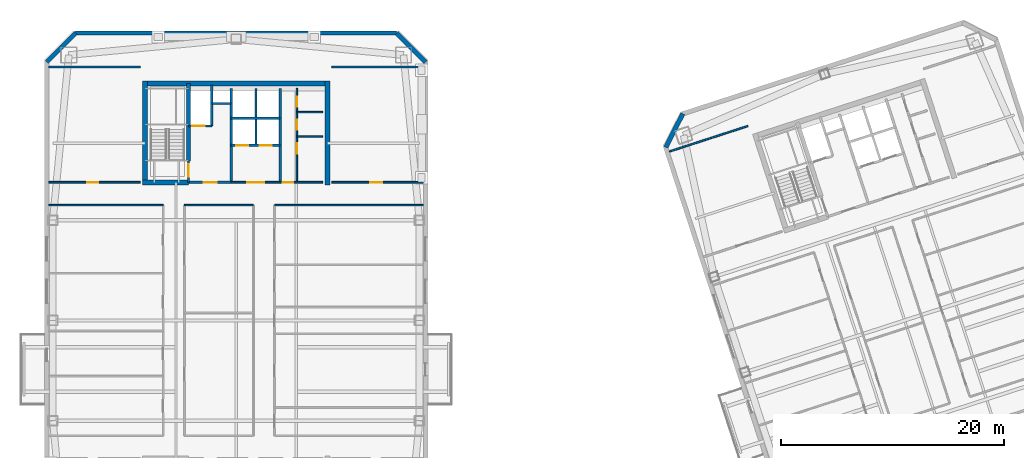
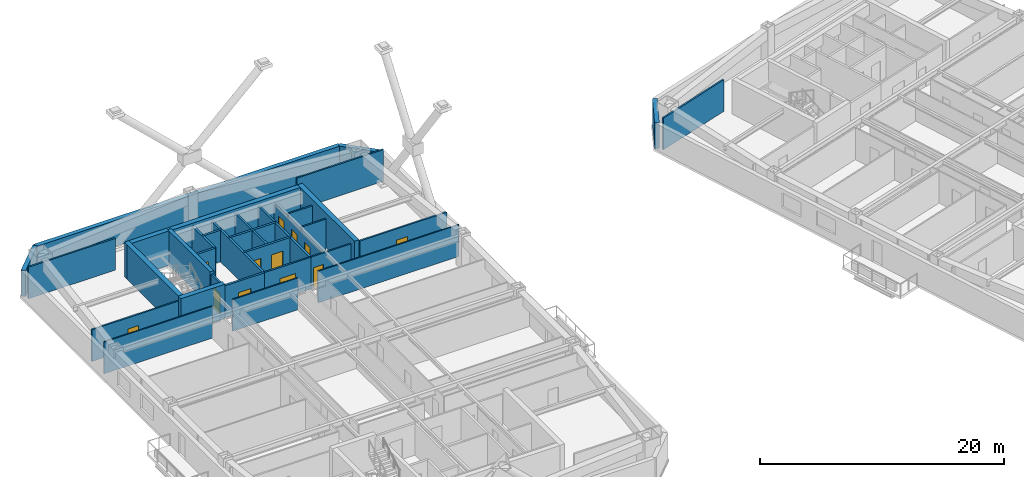
# One storey, part 8 of 16: 32 walls, 12 doors, 12 openings.
"""IFC4 building model written with IfcOpenShell, lengths in metres."""

from ifc_helpers import new_model, si_unit, direction, frame, frame_2d, origin, place, context, subcontext, project, spatial, rectangle, extrude, material, layer, layer_set, type_object, element, fill, save


model = new_model("IFC4")

# Units and contexts
model_context = context("Model", 3, precision=1e-05, world=origin(), true_north=direction((0.0, 1.0)))
body_context = subcontext(model_context, "Body", "Model", "MODEL_VIEW")
ifc_project = project(units=[si_unit("LENGTHUNIT", "METRE"), si_unit("AREAUNIT", "SQUARE_METRE"), si_unit("VOLUMEUNIT", "CUBIC_METRE"), si_unit("PLANEANGLEUNIT", "RADIAN"), si_unit("MASSUNIT", "GRAM", prefix="KILO")], contexts=[model_context])

# Site, building, storey
site_placement = place(None, origin())
site = spatial("IfcSite", under=ifc_project, at=site_placement, CompositionType="ELEMENT")
building_placement = place(site_placement, origin())
building = spatial("IfcBuilding", under=site, at=building_placement, Name="Qiaolan Cultural Towers", CompositionType="ELEMENT")
storey_placement = place(building_placement, frame((0.0, 0.0, 188.60009765625)))
storey = spatial("IfcBuildingStorey", under=building, at=storey_placement, Name="L50", CompositionType="ELEMENT", Elevation=188.60009765625)

# Walls
ifc_material_1 = material(Name="Concrete C50", Category="concrete")
ifc_layer_1 = layer(ifc_material_1, 0.35009765625)
ifc_layer_set_1 = layer_set([ifc_layer_1], Name="Concrete C50")
wall_type_1 = type_object("IfcWallType", Name="WL-CORE-350", PredefinedType="SHEAR", material=ifc_layer_set_1)
wall_1_placement = place(storey_placement, frame((25.719970703125, 48.300048828125, 0.0), z_axis=(0.0, 0.0, 1.0), x_axis=(0.0, 1.0, 0.0)))
element("IfcWall", 1, at=wall_1_placement, inside=storey, type_object=wall_type_1, Name="L50 T1-CN Stair Core Dividing Web", PredefinedType="SHEAR", context=body_context, shape_type="SweptSolid", body=[
    extrude(rectangle(XDim=6.97998046875, YDim=0.35009765625, at=frame_2d((3.489990234375, 0.0))), origin(), (0.0, 0.0, 1.0), 3.449951171875),
])
ifc_material_2 = material(Name="Concrete C50", Category="concrete")
ifc_layer_2 = layer(ifc_material_2, 0.449951171875)
ifc_layer_set_2 = layer_set([ifc_layer_2], Name="Concrete C50")
wall_type_2 = type_object("IfcWallType", Name="WL-CORE-450", PredefinedType="SHEAR", material=ifc_layer_set_2)
wall_2_placement = place(storey_placement, frame((21.574951171875, 55.280029296875, 0.0), z_axis=(0.0, 0.0, 1.0), x_axis=(1.0, 0.0, 0.0)))
element("IfcWall", 2, at=wall_2_placement, inside=storey, type_object=wall_type_2, Name="L50 T1-CN Outer Core Shear Wall", PredefinedType="SHEAR", context=body_context, shape_type="SweptSolid", body=[
    extrude(rectangle(XDim=16.85009765625, YDim=0.449951171875, at=frame_2d((8.425048828125, 0.0))), origin(), (0.0, 0.0, 1.0), 3.449951171875),
])
for number, where, z_axis, x_axis, name in (
    (3, (21.800048828125, 46.175048828125, 0.0), (0.0, 0.0, 1.0), (0.0, 1.0, 0.0), "L50 T1-CN West Core Shear Wall"),
    (4, (38.199951171875, 46.175048828125, 0.0), (0.0, 0.0, 1.0), (0.0, 1.0, 0.0), "L50 T1-CN East Core Shear Wall"),
):
    element("IfcWall", number, at=place(storey_placement, frame(where, z_axis=z_axis, x_axis=x_axis)), inside=storey, type_object=wall_type_2, Name=name, PredefinedType="SHEAR", context=body_context, shape_type="SweptSolid", body=[
        extrude(rectangle(XDim=9.329833984375, YDim=0.449951171875, at=frame_2d((4.6650390625, 0.0))), origin(), (0.0, 0.0, 1.0), 3.449951171875),
    ])
wall_3_placement = place(storey_placement, frame((21.574951171875, 46.39990234375, 0.0), z_axis=(0.0, 0.0, 1.0), x_axis=(1.0, 0.0, 0.0)))
element("IfcWall", 5, at=wall_3_placement, inside=storey, type_object=wall_type_2, Name="L50 T1-CN Stair Front Shear Wall", PredefinedType="SHEAR", context=body_context, shape_type="SweptSolid", body=[
    extrude(rectangle(XDim=4.14501953125, YDim=0.449951171875, at=frame_2d((2.072509765625, 0.0))), origin(), (0.0, 0.0, 1.0), 3.449951171875),
])
ifc_material_3 = material(Name="Precast Concrete C50 Honed Stone Pier", Category="masonry")
ifc_layer_3 = layer(ifc_material_3, 0.39990234375)
ifc_layer_set_3 = layer_set([ifc_layer_3], Name="Precast Concrete C50 Honed Stone Pier")
wall_type_3 = type_object("IfcWallType", Name="WL-EXT-PIER-400", PredefinedType="SOLIDWALL", material=ifc_layer_set_3)
wall_4_placement = place(storey_placement, frame((13.0, 57.199951171875, 0.0), z_axis=(0.0, 0.0, 1.0), x_axis=(0.707106781187, 0.707106781187, 0.0)))
element("IfcWall", 6, at=wall_4_placement, inside=storey, type_object=wall_type_3, Name="L50 West Tower Precast Pier Facade Wall F2", PredefinedType="SOLIDWALL", context=body_context, shape_type="SweptSolid", body=[
    extrude(rectangle(XDim=3.677001953125, YDim=0.39990234375, at=frame_2d((1.83837890625, 0.0))), origin(), (0.0, 0.0, 1.0), 2.60986328125),
])
wall_5_placement = place(storey_placement, frame((15.60009765625, 59.800048828125, 0.0), z_axis=(0.0, 0.0, 1.0), x_axis=(1.0, 0.0, 0.0)))
element("IfcWall", 7, at=wall_5_placement, inside=storey, type_object=wall_type_3, Name="L50 West Tower Precast Pier Facade Wall F3", PredefinedType="SOLIDWALL", context=body_context, shape_type="SweptSolid", body=[
    extrude(rectangle(XDim=28.7998046875, YDim=0.39990234375, at=frame_2d((14.39990234375, 0.0))), origin(), (0.0, 0.0, 1.0), 2.60986328125),
])
wall_6_placement = place(storey_placement, frame((44.39990234375, 59.800048828125, 0.0), z_axis=(0.0, 0.0, 1.0), x_axis=(0.707106781187, -0.707106781187, 0.0)))
element("IfcWall", 8, at=wall_6_placement, inside=storey, type_object=wall_type_3, Name="L50 West Tower Precast Pier Facade Wall F4", PredefinedType="SOLIDWALL", context=body_context, shape_type="SweptSolid", body=[
    extrude(rectangle(XDim=3.677001953125, YDim=0.39990234375, at=frame_2d((1.83837890625, 0.0))), origin(), (0.0, 0.0, 1.0), 2.60986328125),
])
wall_7_placement = place(storey_placement, frame((68.550537109375, 49.531982421875, 0.0), z_axis=(0.0, 0.0, 1.0), x_axis=(0.454019523198, 0.890991735402, 0.0)))
element("IfcWall", 9, at=wall_7_placement, inside=storey, type_object=wall_type_3, Name="L50 East Tower Precast Pier Facade Wall F2", PredefinedType="SOLIDWALL", context=body_context, shape_type="SweptSolid", body=[
    extrude(rectangle(XDim=3.39404296875, YDim=0.39990234375, at=frame_2d((1.697021484375, 0.0))), origin(), (0.0, 0.0, 1.0), 2.60986328125),
])

# Wall, opening, door
ifc_material_4 = material(Name="Concrete C35 Fire Wall", Category="concrete")
ifc_layer_4 = layer(ifc_material_4, 0.199951171875)
ifc_layer_set_4 = layer_set([ifc_layer_4], Name="Concrete C35 Fire Wall")
wall_type_4 = type_object("IfcWallType", Name="WL-FIRE-200", PredefinedType="PARTITIONING", material=ifc_layer_set_4)
wall_8_placement = place(storey_placement, frame((25.719970703125, 46.39990234375, 0.0), z_axis=(0.0, 0.0, 1.0), x_axis=(0.0, 1.0, 0.0)))
wall_8 = element("IfcWall", 10, at=wall_8_placement, inside=storey, type_object=wall_type_4, Name="L50 T1-CN Smokeproof Stair Entry Wall", PredefinedType="PARTITIONING", context=body_context, shape_type="SweptSolid", body=[
    extrude(rectangle(XDim=1.900146484375, YDim=0.199951171875, at=frame_2d((0.9501953125, 0.0))), origin(), (0.0, 0.0, 1.0), 3.1748046875),
])
opening_1_placement = place(wall_8_placement, frame((0.52001953125, 0.0, 0.0)))
opening_1 = element("IfcOpeningElement", 11, at=opening_1_placement, cuts=wall_8, Name="Opening FD-04", PredefinedType="OPENING", context=body_context, shape_type="SweptSolid", body=[
    extrude(rectangle(XDim=1.10009765625, YDim=2.050048828125, at=frame_2d((0.550048828125, 1.02490234375))), frame((0.0, 0.10986328125, 0.0), z_axis=(0.0, -1.0, 0.0), x_axis=(1.0, 0.0, 0.0)), (0.0, 0.0, 1.0), 0.219970703125),
])
ifc_material_5 = material(Name="Galvanized Steel Command Fire Door", Category="steel")
door_type_1 = type_object("IfcDoorType", Name="DR-FD90-1100", OperationType="NOTDEFINED", PredefinedType="DOOR", material=ifc_material_5)
door_1_placement = place(opening_1_placement, origin())
door_1 = element("IfcDoor", 12, at=door_1_placement, inside=storey, type_object=door_type_1, Name="L50 ST-W2 Smokeproof Stair Fire Door", OperationType="SINGLE_SWING_LEFT", OverallHeight=2.050048828125, OverallWidth=1.10009765625, PredefinedType="DOOR", context=body_context, shape_type="SweptSolid", body=[
    extrude(rectangle(XDim=1.10009765625, YDim=2.050048828125, at=frame_2d((0.550048828125, 1.02490234375))), frame((0.0, 0.02490234375, 0.0), z_axis=(0.0, -1.0, 0.0), x_axis=(1.0, 0.0, 0.0)), (0.0, 0.0, 1.0), 0.050048828125),
])
fill(opening_1, door_1)

# Wall
wall_9_placement = place(storey_placement, frame((29.550048828125, 46.39990234375, 0.0), z_axis=(0.0, 0.0, 1.0), x_axis=(0.0, 1.0, 0.0)))
element("IfcWall", 13, at=wall_9_placement, inside=storey, type_object=wall_type_4, Name="L50 T1-CN Firefighting Zone Wall", PredefinedType="PARTITIONING", context=body_context, shape_type="SweptSolid", body=[
    extrude(rectangle(XDim=8.43017578125, YDim=0.199951171875, at=frame_2d((4.215087890625, 0.0))), origin(), (0.0, 0.0, 1.0), 3.1748046875),
])

# Wall, opening, door
wall_10_placement = place(storey_placement, frame((25.719970703125, 46.39990234375, 0.0), z_axis=(0.0, 0.0, 1.0), x_axis=(1.0, 0.0, 0.0)))
wall_10 = element("IfcWall", 14, at=wall_10_placement, inside=storey, type_object=wall_type_4, Name="L50 T1-CN Firefighting Lobby Front Wall", PredefinedType="PARTITIONING", context=body_context, shape_type="SweptSolid", body=[
    extrude(rectangle(XDim=3.830078125, YDim=0.199951171875, at=frame_2d((1.9150390625, 0.0))), origin(), (0.0, 0.0, 1.0), 3.1748046875),
])
opening_2_placement = place(wall_10_placement, frame((1.35009765625, 0.0, 0.0)))
opening_2 = element("IfcOpeningElement", 15, at=opening_2_placement, cuts=wall_10, Name="Opening FD-03", PredefinedType="OPENING", context=body_context, shape_type="SweptSolid", body=[
    extrude(rectangle(XDim=1.199951171875, YDim=2.050048828125, at=frame_2d((0.60009765625, 1.02490234375))), frame((0.0, 0.10986328125, 0.0), z_axis=(0.0, -1.0, 0.0), x_axis=(1.0, 0.0, 0.0)), (0.0, 0.0, 1.0), 0.219970703125),
])
ifc_material_6 = material(Name="Galvanized Steel Smokeproof Lobby Fire Door", Category="steel")
door_type_2 = type_object("IfcDoorType", Name="DR-FD90-1200", OperationType="NOTDEFINED", PredefinedType="DOOR", material=ifc_material_6)
door_2_placement = place(opening_2_placement, origin())
door_2 = element("IfcDoor", 16, at=door_2_placement, inside=storey, type_object=door_type_2, Name="L50 FFL-W2 Firefighting Lobby Fire Door", OperationType="SINGLE_SWING_LEFT", OverallHeight=2.050048828125, OverallWidth=1.199951171875, PredefinedType="DOOR", context=body_context, shape_type="SweptSolid", body=[
    extrude(rectangle(XDim=1.199951171875, YDim=2.050048828125, at=frame_2d((0.60009765625, 1.02490234375))), frame((0.0, 0.02490234375, 0.0), z_axis=(0.0, -1.0, 0.0), x_axis=(1.0, 0.0, 0.0)), (0.0, 0.0, 1.0), 0.050048828125),
])
fill(opening_2, door_2)

wall_11_placement = place(storey_placement, frame((25.719970703125, 51.449951171875, 0.0), z_axis=(0.0, 0.0, 1.0), x_axis=(1.0, 0.0, 0.0)))
wall_11 = element("IfcWall", 17, at=wall_11_placement, inside=storey, type_object=wall_type_4, Name="L50 T1-CN Firefighting Shaft Front Wall", PredefinedType="PARTITIONING", context=body_context, shape_type="SweptSolid", body=[
    extrude(rectangle(XDim=2.10009765625, YDim=0.199951171875, at=frame_2d((1.050048828125, 0.0))), origin(), (0.0, 0.0, 1.0), 3.1748046875),
])
opening_3_placement = place(wall_11_placement, frame((0.35009765625, 0.0, 0.0)))
opening_3 = element("IfcOpeningElement", 18, at=opening_3_placement, cuts=wall_11, Name="Opening LD-01", PredefinedType="OPENING", context=body_context, shape_type="SweptSolid", body=[
    extrude(rectangle(XDim=1.10009765625, YDim=2.050048828125, at=frame_2d((0.550048828125, 1.02490234375))), frame((0.0, 0.10986328125, 0.0), z_axis=(0.0, -1.0, 0.0), x_axis=(1.0, 0.0, 0.0)), (0.0, 0.0, 1.0), 0.219970703125),
])
ifc_material_7 = material(Name="Brushed Stainless Steel S30408 Centre-Parting Lift Landing Door", Category="steel")
door_type_3 = type_object("IfcDoorType", Name="DR-LIFT-1100", OperationType="NOTDEFINED", PredefinedType="DOOR", material=ifc_material_7)
door_3_placement = place(opening_3_placement, origin())
door_3 = element("IfcDoor", 19, at=door_3_placement, inside=storey, type_object=door_type_3, Name="L50 FFL-W2 Firefighting Lift Landing Door", OperationType="DOUBLE_DOOR_SLIDING", OverallHeight=2.050048828125, OverallWidth=1.10009765625, PredefinedType="DOOR", context=body_context, shape_type="SweptSolid", body=[
    extrude(rectangle(XDim=1.10009765625, YDim=2.050048828125, at=frame_2d((0.550048828125, 1.02490234375))), frame((0.0, 0.02490234375, 0.0), z_axis=(0.0, -1.0, 0.0), x_axis=(1.0, 0.0, 0.0)), (0.0, 0.0, 1.0), 0.050048828125),
])
fill(opening_3, door_3)

# Walls
wall_12_placement = place(storey_placement, frame((27.820068359375, 51.449951171875, 0.0), z_axis=(0.0, 0.0, 1.0), x_axis=(0.0, 1.0, 0.0)))
element("IfcWall", 20, at=wall_12_placement, inside=storey, type_object=wall_type_4, Name="L50 T1-CN Firefighting Hoistway East Wall", PredefinedType="PARTITIONING", context=body_context, shape_type="SweptSolid", body=[
    extrude(rectangle(XDim=3.699951171875, YDim=0.199951171875, at=frame_2d((1.85009765625, 0.0))), origin(), (0.0, 0.0, 1.0), 3.1748046875),
])
wall_13_placement = place(storey_placement, frame((27.820068359375, 53.47998046875, 0.0), z_axis=(0.0, 0.0, 1.0), x_axis=(1.0, 0.0, 0.0)))
element("IfcWall", 21, at=wall_13_placement, inside=storey, type_object=wall_type_4, Name="L50 T1-CN Pressurization Shaft Front Wall", PredefinedType="PARTITIONING", context=body_context, shape_type="SweptSolid", body=[
    extrude(rectangle(XDim=1.72998046875, YDim=0.199951171875, at=frame_2d((0.864990234375, 0.0))), origin(), (0.0, 0.0, 1.0), 3.1748046875),
])
wall_14_placement = place(storey_placement, frame((33.949951171875, 46.39990234375, 0.0), z_axis=(0.0, 0.0, 1.0), x_axis=(0.0, 1.0, 0.0)))
element("IfcWall", 22, at=wall_14_placement, inside=storey, type_object=wall_type_4, Name="L50 T1-CN Lift Core East Wall", PredefinedType="PARTITIONING", context=body_context, shape_type="SweptSolid", body=[
    extrude(rectangle(XDim=8.43017578125, YDim=0.199951171875, at=frame_2d((4.215087890625, 0.0))), origin(), (0.0, 0.0, 1.0), 3.1748046875),
])

# Wall, openings, doors
wall_15_placement = place(storey_placement, frame((29.550048828125, 49.719970703125, 0.0), z_axis=(0.0, 0.0, 1.0), x_axis=(1.0, 0.0, 0.0)))
wall_15 = element("IfcWall", 23, at=wall_15_placement, inside=storey, type_object=wall_type_4, Name="L50 T1-CN Passenger Lift Shaft Front Wall", PredefinedType="PARTITIONING", context=body_context, shape_type="SweptSolid", body=[
    extrude(rectangle(XDim=4.39990234375, YDim=0.199951171875, at=frame_2d((2.199951171875, 0.0))), origin(), (0.0, 0.0, 1.0), 3.1748046875),
])
opening_4_placement = place(wall_15_placement, frame((0.449951171875, 0.0, 0.0)))
opening_4 = element("IfcOpeningElement", 24, at=opening_4_placement, cuts=wall_15, Name="Opening LD-01", PredefinedType="OPENING", context=body_context, shape_type="SweptSolid", body=[
    extrude(rectangle(XDim=1.10009765625, YDim=2.050048828125, at=frame_2d((0.550048828125, 1.02490234375))), frame((0.0, 0.10986328125, 0.0), z_axis=(0.0, -1.0, 0.0), x_axis=(1.0, 0.0, 0.0)), (0.0, 0.0, 1.0), 0.219970703125),
])
opening_5_placement = place(wall_15_placement, frame((2.550048828125, 0.0, 0.0)))
opening_5 = element("IfcOpeningElement", 25, at=opening_5_placement, cuts=wall_15, Name="Opening LD-01", PredefinedType="OPENING", context=body_context, shape_type="SweptSolid", body=[
    extrude(rectangle(XDim=1.10009765625, YDim=2.050048828125, at=frame_2d((0.550048828125, 1.02490234375))), frame((0.0, 0.10986328125, 0.0), z_axis=(0.0, -1.0, 0.0), x_axis=(1.0, 0.0, 0.0)), (0.0, 0.0, 1.0), 0.219970703125),
])
door_4_placement = place(opening_4_placement, origin())
door_4 = element("IfcDoor", 26, at=door_4_placement, inside=storey, type_object=door_type_3, Name="L50 Passenger Lift 1 Landing Door", OperationType="DOUBLE_DOOR_SLIDING", OverallHeight=2.050048828125, OverallWidth=1.10009765625, PredefinedType="DOOR", context=body_context, shape_type="SweptSolid", body=[
    extrude(rectangle(XDim=1.10009765625, YDim=2.050048828125, at=frame_2d((0.550048828125, 1.02490234375))), frame((0.0, 0.02490234375, 0.0), z_axis=(0.0, -1.0, 0.0), x_axis=(1.0, 0.0, 0.0)), (0.0, 0.0, 1.0), 0.050048828125),
])
fill(opening_4, door_4)
door_5_placement = place(opening_5_placement, origin())
door_5 = element("IfcDoor", 27, at=door_5_placement, inside=storey, type_object=door_type_3, Name="L50 Passenger Lift 2 Landing Door", OperationType="DOUBLE_DOOR_SLIDING", OverallHeight=2.050048828125, OverallWidth=1.10009765625, PredefinedType="DOOR", context=body_context, shape_type="SweptSolid", body=[
    extrude(rectangle(XDim=1.10009765625, YDim=2.050048828125, at=frame_2d((0.550048828125, 1.02490234375))), frame((0.0, 0.02490234375, 0.0), z_axis=(0.0, -1.0, 0.0), x_axis=(1.0, 0.0, 0.0)), (0.0, 0.0, 1.0), 0.050048828125),
])
fill(opening_5, door_5)

# Walls
wall_16_placement = place(storey_placement, frame((31.780029296875, 49.719970703125, 0.0), z_axis=(0.0, 0.0, 1.0), x_axis=(0.0, 1.0, 0.0)))
element("IfcWall", 28, at=wall_16_placement, inside=storey, type_object=wall_type_4, Name="L50 T1-CN Lift Shaft Divider Wall", PredefinedType="PARTITIONING", context=body_context, shape_type="SweptSolid", body=[
    extrude(rectangle(XDim=5.110107421875, YDim=0.199951171875, at=frame_2d((2.55517578125, 0.0))), origin(), (0.0, 0.0, 1.0), 3.1748046875),
])
wall_17_placement = place(storey_placement, frame((29.550048828125, 52.14990234375, 0.0), z_axis=(0.0, 0.0, 1.0), x_axis=(1.0, 0.0, 0.0)))
element("IfcWall", 29, at=wall_17_placement, inside=storey, type_object=wall_type_4, Name="L50 T1-CN Passenger Lift Shaft Back Wall", PredefinedType="PARTITIONING", context=body_context, shape_type="SweptSolid", body=[
    extrude(rectangle(XDim=4.39990234375, YDim=0.199951171875, at=frame_2d((2.199951171875, 0.0))), origin(), (0.0, 0.0, 1.0), 3.1748046875),
])
ifc_material_8 = material(Name="Gypsum Stud Acoustic Partition", Category="gypsum")
ifc_layer_5 = layer(ifc_material_8, 0.1201171875)
ifc_layer_set_5 = layer_set([ifc_layer_5], Name="Gypsum Stud Acoustic Partition")
wall_type_5 = type_object("IfcWallType", Name="WL-PART-120", PredefinedType="PARTITIONING", material=ifc_layer_set_5)
wall_18_placement = place(storey_placement, frame((13.199951171875, 44.35009765625, 0.0), z_axis=(0.0, 0.0, 1.0), x_axis=(1.0, 0.0, 0.0)))
element("IfcWall", 30, at=wall_18_placement, inside=storey, type_object=wall_type_5, Name="L50 T1 Interior Wall", PredefinedType="PARTITIONING", context=body_context, shape_type="SweptSolid", body=[
    extrude(rectangle(XDim=10.25, YDim=0.1201171875, at=frame_2d((5.125, 0.0))), origin(), (0.0, 0.0, 1.0), 3.1748046875),
])
wall_19_placement = place(storey_placement, frame((25.35009765625, 44.35009765625, 0.0), z_axis=(0.0, 0.0, 1.0), x_axis=(1.0, 0.0, 0.0)))
element("IfcWall", 31, at=wall_19_placement, inside=storey, type_object=wall_type_5, Name="L50 T1 Interior Wall", PredefinedType="PARTITIONING", context=body_context, shape_type="SweptSolid", body=[
    extrude(rectangle(XDim=6.199951171875, YDim=0.1201171875, at=frame_2d((3.10009765625, 0.0))), origin(), (0.0, 0.0, 1.0), 3.1748046875),
])
wall_20_placement = place(storey_placement, frame((33.449951171875, 44.35009765625, 0.0), z_axis=(0.0, 0.0, 1.0), x_axis=(1.0, 0.0, 0.0)))
element("IfcWall", 32, at=wall_20_placement, inside=storey, type_object=wall_type_5, Name="L50 T1 Interior Wall", PredefinedType="PARTITIONING", context=body_context, shape_type="SweptSolid", body=[
    extrude(rectangle(XDim=13.35009765625, YDim=0.1201171875, at=frame_2d((6.675048828125, 0.0))), origin(), (0.0, 0.0, 1.0), 3.1748046875),
])

# Wall, opening, door
ifc_material_9 = material(Name="Autoclaved Aerated Concrete Block B06", Category="concrete")
ifc_layer_6 = layer(ifc_material_9, 0.14990234375)
ifc_layer_set_6 = layer_set([ifc_layer_6], Name="Autoclaved Aerated Concrete Block B06")
wall_type_6 = type_object("IfcWallType", Name="WL-PART-150", PredefinedType="PARTITIONING", material=ifc_layer_set_6)
wall_21_placement = place(storey_placement, frame((29.550048828125, 46.39990234375, 0.0), z_axis=(0.0, 0.0, 1.0), x_axis=(1.0, 0.0, 0.0)))
wall_21 = element("IfcWall", 33, at=wall_21_placement, inside=storey, type_object=wall_type_6, Name="L50 T1-CN Passenger Lift Lobby Front Wall", PredefinedType="PARTITIONING", context=body_context, shape_type="SweptSolid", body=[
    extrude(rectangle(XDim=4.39990234375, YDim=0.14990234375, at=frame_2d((2.199951171875, 0.0))), origin(), (0.0, 0.0, 1.0), 3.1748046875),
])
opening_6_placement = place(wall_21_placement, frame((1.449951171875, 0.0, 0.0)))
opening_6 = element("IfcOpeningElement", 34, at=opening_6_placement, cuts=wall_21, Name="Opening FD-05", PredefinedType="OPENING", context=body_context, shape_type="SweptSolid", body=[
    extrude(rectangle(XDim=1.5, YDim=2.050048828125, at=frame_2d((0.75, 1.02490234375))), frame((0.0, 0.0849609375, 0.0), z_axis=(0.0, -1.0, 0.0), x_axis=(1.0, 0.0, 0.0)), (0.0, 0.0, 1.0), 0.169921875),
])
ifc_material_10 = material(Name="Painted Steel Lift Lobby Fire Door", Category="steel")
door_type_4 = type_object("IfcDoorType", Name="DR-FD60-1500", OperationType="NOTDEFINED", PredefinedType="DOOR", material=ifc_material_10)
door_6_placement = place(opening_6_placement, origin())
door_6 = element("IfcDoor", 35, at=door_6_placement, inside=storey, type_object=door_type_4, Name="L50 Passenger Lift Lobby Entrance", OperationType="SINGLE_SWING_LEFT", OverallHeight=2.050048828125, OverallWidth=1.5, PredefinedType="DOOR", context=body_context, shape_type="SweptSolid", body=[
    extrude(rectangle(XDim=1.5, YDim=2.050048828125, at=frame_2d((0.75, 1.02490234375))), frame((0.0, 0.02490234375, 0.0), z_axis=(0.0, -1.0, 0.0), x_axis=(1.0, 0.0, 0.0)), (0.0, 0.0, 1.0), 0.050048828125),
])
fill(opening_6, door_6)

wall_22_placement = place(storey_placement, frame((33.949951171875, 46.39990234375, 0.0), z_axis=(0.0, 0.0, 1.0), x_axis=(1.0, 0.0, 0.0)))
wall_22 = element("IfcWall", 36, at=wall_22_placement, inside=storey, type_object=wall_type_6, Name="L50 T1-CN Sanitary Core Front Wall", PredefinedType="PARTITIONING", context=body_context, shape_type="SweptSolid", body=[
    extrude(rectangle(XDim=3.800048828125, YDim=0.14990234375, at=frame_2d((1.89990234375, 0.0))), origin(), (0.0, 0.0, 1.0), 3.1748046875),
])
opening_7_placement = place(wall_22_placement, frame((0.219970703125, 0.0, 0.0)))
opening_7 = element("IfcOpeningElement", 37, at=opening_7_placement, cuts=wall_22, Name="Opening ID-05", PredefinedType="OPENING", context=body_context, shape_type="SweptSolid", body=[
    extrude(rectangle(XDim=0.949951171875, YDim=2.050048828125, at=frame_2d((0.47509765625, 1.02490234375))), frame((0.0, 0.0849609375, 0.0), z_axis=(0.0, -1.0, 0.0), x_axis=(1.0, 0.0, 0.0)), (0.0, 0.0, 1.0), 0.169921875),
])
ifc_material_11 = material(Name="Fire-Rated Laminate Accessible Core Door", Category="timber")
door_type_5 = type_object("IfcDoorType", Name="DR-INT-950", OperationType="NOTDEFINED", PredefinedType="DOOR", material=ifc_material_11)
door_7_placement = place(opening_7_placement, origin())
door_7 = element("IfcDoor", 38, at=door_7_placement, inside=storey, type_object=door_type_5, Name="L50 Sanitary Vestibule Door", OperationType="SINGLE_SWING_LEFT", OverallHeight=2.050048828125, OverallWidth=0.949951171875, PredefinedType="DOOR", context=body_context, shape_type="SweptSolid", body=[
    extrude(rectangle(XDim=0.949951171875, YDim=2.050048828125, at=frame_2d((0.47509765625, 1.02490234375))), frame((0.0, 0.02490234375, 0.0), z_axis=(0.0, -1.0, 0.0), x_axis=(1.0, 0.0, 0.0)), (0.0, 0.0, 1.0), 0.050048828125),
])
fill(opening_7, door_7)

# Wall, openings, doors
wall_23_placement = place(storey_placement, frame((35.449951171875, 46.39990234375, 0.0), z_axis=(0.0, 0.0, 1.0), x_axis=(0.0, 1.0, 0.0)))
wall_23 = element("IfcWall", 39, at=wall_23_placement, inside=storey, type_object=wall_type_6, Name="L50 T1-CN Sanitary Vestibule Wall", PredefinedType="PARTITIONING", context=body_context, shape_type="SweptSolid", body=[
    extrude(rectangle(XDim=8.43017578125, YDim=0.14990234375, at=frame_2d((4.215087890625, 0.0))), origin(), (0.0, 0.0, 1.0), 2.764892578125),
])
opening_8_placement = place(wall_23_placement, frame((2.550048828125, 0.0, 0.0)))
opening_8 = element("IfcOpeningElement", 40, at=opening_8_placement, cuts=wall_23, Name="Opening ID-05", PredefinedType="OPENING", context=body_context, shape_type="SweptSolid", body=[
    extrude(rectangle(XDim=0.949951171875, YDim=2.050048828125, at=frame_2d((0.47509765625, 1.02490234375))), frame((0.0, 0.0849609375, 0.0), z_axis=(0.0, -1.0, 0.0), x_axis=(1.0, 0.0, 0.0)), (0.0, 0.0, 1.0), 0.169921875),
])
opening_9_placement = place(wall_23_placement, frame((4.699951171875, 0.0, 0.0)))
opening_9 = element("IfcOpeningElement", 41, at=opening_9_placement, cuts=wall_23, Name="Opening ID-06", PredefinedType="OPENING", context=body_context, shape_type="SweptSolid", body=[
    extrude(rectangle(XDim=0.89990234375, YDim=2.050048828125, at=frame_2d((0.449951171875, 1.02490234375))), frame((0.0, 0.0849609375, 0.0), z_axis=(0.0, -1.0, 0.0), x_axis=(1.0, 0.0, 0.0)), (0.0, 0.0, 1.0), 0.169921875),
])
opening_10_placement = place(wall_23_placement, frame((6.800048828125, 0.0, 0.0)))
opening_10 = element("IfcOpeningElement", 42, at=opening_10_placement, cuts=wall_23, Name="Opening ID-06", PredefinedType="OPENING", context=body_context, shape_type="SweptSolid", body=[
    extrude(rectangle(XDim=0.89990234375, YDim=2.050048828125, at=frame_2d((0.449951171875, 1.02490234375))), frame((0.0, 0.0849609375, 0.0), z_axis=(0.0, -1.0, 0.0), x_axis=(1.0, 0.0, 0.0)), (0.0, 0.0, 1.0), 0.169921875),
])
ifc_material_12 = material(Name="Fire-Rated Laminate Core Service Door", Category="timber")
door_type_6 = type_object("IfcDoorType", Name="DR-INT-900", OperationType="NOTDEFINED", PredefinedType="DOOR", material=ifc_material_12)
door_8_placement = place(opening_9_placement, origin())
door_8 = element("IfcDoor", 43, at=door_8_placement, inside=storey, type_object=door_type_6, Name="L50 Men Washroom Door", OperationType="SINGLE_SWING_LEFT", OverallHeight=2.050048828125, OverallWidth=0.89990234375, PredefinedType="DOOR", context=body_context, shape_type="SweptSolid", body=[
    extrude(rectangle(XDim=0.89990234375, YDim=2.050048828125, at=frame_2d((0.449951171875, 1.02490234375))), frame((0.0, 0.02490234375, 0.0), z_axis=(0.0, -1.0, 0.0), x_axis=(1.0, 0.0, 0.0)), (0.0, 0.0, 1.0), 0.050048828125),
])
fill(opening_9, door_8)
door_9_placement = place(opening_10_placement, origin())
door_9 = element("IfcDoor", 44, at=door_9_placement, inside=storey, type_object=door_type_6, Name="L50 Women Washroom Door", OperationType="SINGLE_SWING_RIGHT", OverallHeight=2.050048828125, OverallWidth=0.89990234375, PredefinedType="DOOR", context=body_context, shape_type="SweptSolid", body=[
    extrude(rectangle(XDim=0.89990234375, YDim=2.050048828125, at=frame_2d((0.449951171875, 1.02490234375))), frame((0.0, 0.02490234375, 0.0), z_axis=(0.0, -1.0, 0.0), x_axis=(1.0, 0.0, 0.0)), (0.0, 0.0, 1.0), 0.050048828125),
])
fill(opening_10, door_9)
door_10_placement = place(opening_8_placement, origin())
door_10 = element("IfcDoor", 45, at=door_10_placement, inside=storey, type_object=door_type_5, Name="L50 Accessible Family Washroom Door", OperationType="SINGLE_SWING_LEFT", OverallHeight=2.050048828125, OverallWidth=0.949951171875, PredefinedType="DOOR", context=body_context, shape_type="SweptSolid", body=[
    extrude(rectangle(XDim=0.949951171875, YDim=2.050048828125, at=frame_2d((0.47509765625, 1.02490234375))), frame((0.0, 0.02490234375, 0.0), z_axis=(0.0, -1.0, 0.0), x_axis=(1.0, 0.0, 0.0)), (0.0, 0.0, 1.0), 0.050048828125),
])
fill(opening_8, door_10)

# Walls
for number, where, z_axis, x_axis, name in (
    (46, (35.449951171875, 50.5, 0.0), (0.0, 0.0, 1.0), (1.0, 0.0, 0.0), "L50 T1-CN Restroom Split Wall 1"),
    (47, (35.449951171875, 52.699951171875, 0.0), (0.0, 0.0, 1.0), (1.0, 0.0, 0.0), "L50 T1-CN Restroom Split Wall 2"),
):
    element("IfcWall", number, at=place(storey_placement, frame(where, z_axis=z_axis, x_axis=x_axis)), inside=storey, type_object=wall_type_6, Name=name, PredefinedType="PARTITIONING", context=body_context, shape_type="SweptSolid", body=[
        extrude(rectangle(XDim=2.300048828125, YDim=0.14990234375, at=frame_2d((1.14990234375, 0.0))), origin(), (0.0, 0.0, 1.0), 3.1748046875),
    ])
wall_24_placement = place(storey_placement, frame((13.199951171875, 56.75, 0.0), z_axis=(0.0, 0.0, 1.0), x_axis=(1.0, 0.0, 0.0)))
element("IfcWall", 48, at=wall_24_placement, inside=storey, type_object=wall_type_6, Name="L50 T1 Flank Wall FLK-NW", PredefinedType="PARTITIONING", context=body_context, shape_type="SweptSolid", body=[
    extrude(rectangle(XDim=8.199951171875, YDim=0.14990234375, at=frame_2d((4.10009765625, 0.0))), origin(), (0.0, 0.0, 1.0), 3.1748046875),
])

# Wall, opening, door
wall_25_placement = place(storey_placement, frame((13.199951171875, 46.39990234375, 0.0), z_axis=(0.0, 0.0, 1.0), x_axis=(1.0, 0.0, 0.0)))
wall_25 = element("IfcWall", 49, at=wall_25_placement, inside=storey, type_object=wall_type_6, Name="L50 T1 Flank Front FLK-NW", PredefinedType="PARTITIONING", context=body_context, shape_type="SweptSolid", body=[
    extrude(rectangle(XDim=8.199951171875, YDim=0.14990234375, at=frame_2d((4.10009765625, 0.0))), origin(), (0.0, 0.0, 1.0), 3.1748046875),
])
opening_11_placement = place(wall_25_placement, frame((3.444091796875, 0.0, 0.0)))
opening_11 = element("IfcOpeningElement", 50, at=opening_11_placement, cuts=wall_25, Name="Opening ID-04", PredefinedType="OPENING", context=body_context, shape_type="SweptSolid", body=[
    extrude(rectangle(XDim=1.0, YDim=2.050048828125, at=frame_2d((0.5, 1.02490234375))), frame((0.0, 0.0849609375, 0.0), z_axis=(0.0, -1.0, 0.0), x_axis=(1.0, 0.0, 0.0)), (0.0, 0.0, 1.0), 0.169921875),
])
ifc_material_13 = material(Name="Oak Veneer Acoustic Office Door", Category="timber")
door_type_7 = type_object("IfcDoorType", Name="DR-INT-1000", OperationType="NOTDEFINED", PredefinedType="DOOR", material=ifc_material_13)
door_11_placement = place(opening_11_placement, origin())
door_11 = element("IfcDoor", 51, at=door_11_placement, inside=storey, type_object=door_type_7, Name="L50 T1 Corner Studio Door", OperationType="SINGLE_SWING_LEFT", OverallHeight=2.050048828125, OverallWidth=1.0, PredefinedType="DOOR", context=body_context, shape_type="SweptSolid", body=[
    extrude(rectangle(XDim=1.0, YDim=2.050048828125, at=frame_2d((0.5, 1.02490234375))), frame((0.0, 0.02490234375, 0.0), z_axis=(0.0, -1.0, 0.0), x_axis=(1.0, 0.0, 0.0)), (0.0, 0.0, 1.0), 0.050048828125),
])
fill(opening_11, door_11)

# Wall
wall_26_placement = place(storey_placement, frame((38.60009765625, 56.75, 0.0), z_axis=(0.0, 0.0, 1.0), x_axis=(1.0, 0.0, 0.0)))
element("IfcWall", 52, at=wall_26_placement, inside=storey, type_object=wall_type_6, Name="L50 T1 Flank Wall FLK-NE", PredefinedType="PARTITIONING", context=body_context, shape_type="SweptSolid", body=[
    extrude(rectangle(XDim=8.199951171875, YDim=0.14990234375, at=frame_2d((4.10009765625, 0.0))), origin(), (0.0, 0.0, 1.0), 3.1748046875),
])

# Wall, opening, door
wall_27_placement = place(storey_placement, frame((38.60009765625, 46.39990234375, 0.0), z_axis=(0.0, 0.0, 1.0), x_axis=(1.0, 0.0, 0.0)))
wall_27 = element("IfcWall", 53, at=wall_27_placement, inside=storey, type_object=wall_type_6, Name="L50 T1 Flank Front FLK-NE", PredefinedType="PARTITIONING", context=body_context, shape_type="SweptSolid", body=[
    extrude(rectangle(XDim=8.199951171875, YDim=0.14990234375, at=frame_2d((4.10009765625, 0.0))), origin(), (0.0, 0.0, 1.0), 3.1748046875),
])
opening_12_placement = place(wall_27_placement, frame((3.444091796875, 0.0, 0.0)))
opening_12 = element("IfcOpeningElement", 54, at=opening_12_placement, cuts=wall_27, Name="Opening ID-07", PredefinedType="OPENING", context=body_context, shape_type="SweptSolid", body=[
    extrude(rectangle(XDim=1.050048828125, YDim=2.050048828125, at=frame_2d((0.52490234375, 1.02490234375))), frame((0.0, 0.0849609375, 0.0), z_axis=(0.0, -1.0, 0.0), x_axis=(1.0, 0.0, 0.0)), (0.0, 0.0, 1.0), 0.169921875),
])
ifc_material_14 = material(Name="Oak Veneer Consultation Door", Category="timber")
door_type_8 = type_object("IfcDoorType", Name="DR-INT-1050", OperationType="NOTDEFINED", PredefinedType="DOOR", material=ifc_material_14)
door_12_placement = place(opening_12_placement, origin())
door_12 = element("IfcDoor", 55, at=door_12_placement, inside=storey, type_object=door_type_8, Name="L50 T1 Corner Studio Door", OperationType="SINGLE_SWING_LEFT", OverallHeight=2.050048828125, OverallWidth=1.050048828125, PredefinedType="DOOR", context=body_context, shape_type="SweptSolid", body=[
    extrude(rectangle(XDim=1.050048828125, YDim=2.050048828125, at=frame_2d((0.52490234375, 1.02490234375))), frame((0.0, 0.02490234375, 0.0), z_axis=(0.0, -1.0, 0.0), x_axis=(1.0, 0.0, 0.0)), (0.0, 0.0, 1.0), 0.050048828125),
])
fill(opening_12, door_12)

# Wall
wall_28_placement = place(storey_placement, frame((68.8798828125, 49.165771484375, 0.0), z_axis=(0.0, 0.0, 1.0), x_axis=(0.951060977215, 0.309003264738, 0.0)))
element("IfcWall", 56, at=wall_28_placement, inside=storey, type_object=wall_type_6, Name="L50 T2 Flank Wall FLK-NW", PredefinedType="PARTITIONING", context=body_context, shape_type="SweptSolid", body=[
    extrude(rectangle(XDim=7.39990234375, YDim=0.14990234375, at=frame_2d((3.699951171875, 0.0))), origin(), (0.0, 0.0, 1.0), 3.1748046875),
])

save(model, "model.ifc")
